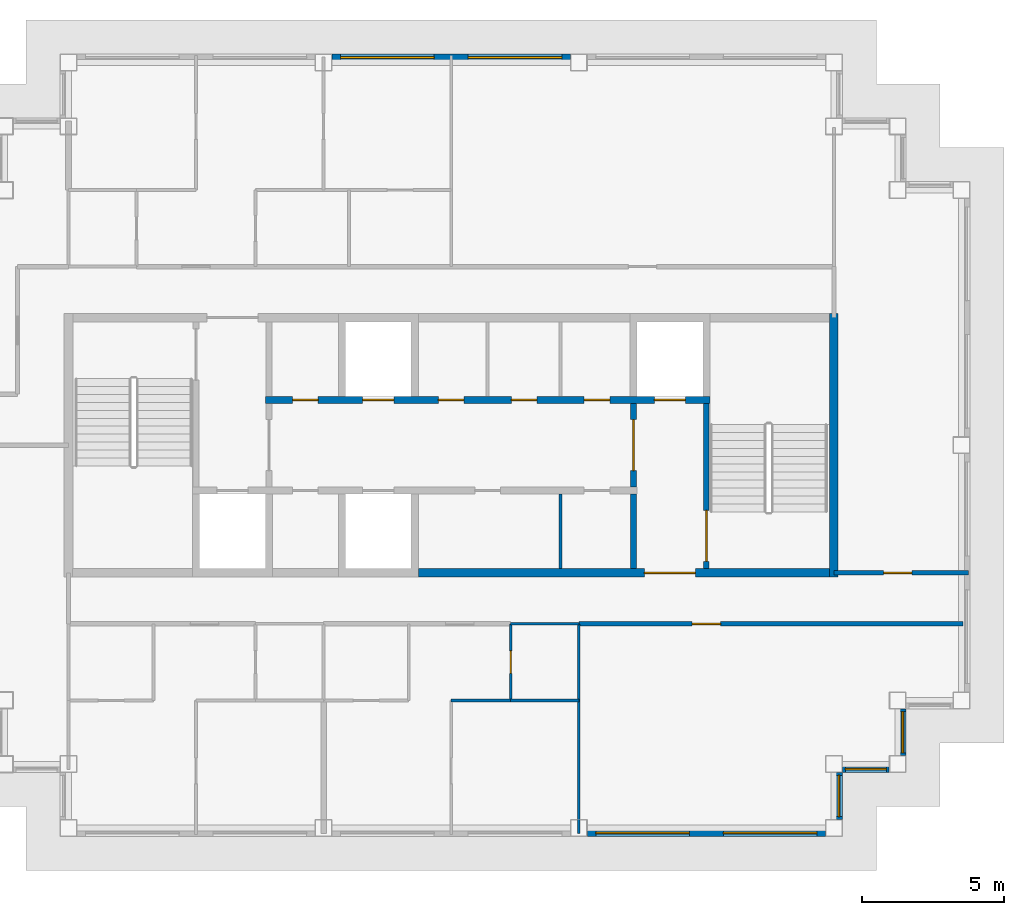
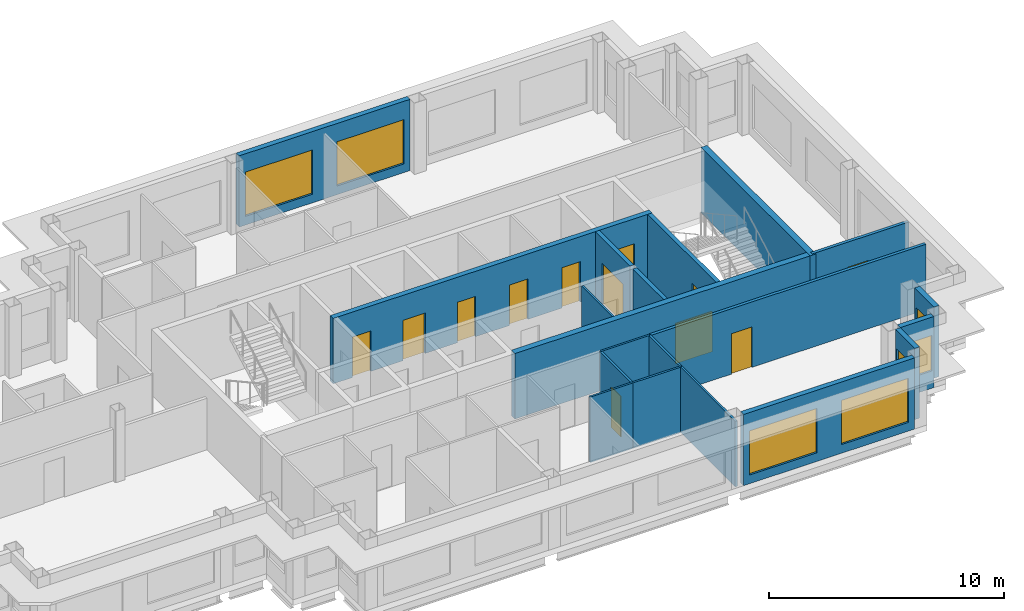
# One storey, part 5 of 11: 20 walls, 12 doors, 7 windows, 19 openings.
"""IFC4 building model written with IfcOpenShell, lengths in metres."""

from ifc_helpers import new_model, si_unit, direction, frame, frame_2d, origin, place, context, subcontext, project, spatial, rectangle, extrude, material, layer, layer_set, type_object, element, fill, save


model = new_model("IFC4")

# Units and contexts
model_context = context("Model", 3, precision=1e-05, world=origin(), true_north=direction((0.0, 1.0)))
body_context = subcontext(model_context, "Body", "Model", "MODEL_VIEW")
ifc_project = project(units=[si_unit("LENGTHUNIT", "METRE"), si_unit("AREAUNIT", "SQUARE_METRE"), si_unit("VOLUMEUNIT", "CUBIC_METRE"), si_unit("PLANEANGLEUNIT", "RADIAN"), si_unit("MASSUNIT", "GRAM", prefix="KILO")], contexts=[model_context])

# Site, building, storey
site_placement = place(None, origin())
site = spatial("IfcSite", under=ifc_project, at=site_placement, CompositionType="ELEMENT")
building_placement = place(site_placement, origin())
building = spatial("IfcBuilding", under=site, at=building_placement, Name="Caravel Reach Hotel and Residences", CompositionType="ELEMENT")
storey_placement = place(building_placement, frame((0.0, 0.0, 256.39990234375)))
storey = spatial("IfcBuildingStorey", under=building, at=storey_placement, Name="L65", CompositionType="ELEMENT", Elevation=256.39990234375)

# Walls
ifc_material_1 = material(Name="Gypsum board on steel stud", Category="steel")
ifc_layer_1 = layer(ifc_material_1, 0.10009765625)
ifc_layer_set_1 = layer_set([ifc_layer_1], Name="Bathroom pod wall 100 mm")
wall_type_1 = type_object("IfcWallType", Name="Bathroom pod wall 100 mm", PredefinedType="PARTITIONING", material=ifc_layer_set_1)
for number, where, z_axis, x_axis, name in (
    (1, (33.60009765625, 18.0, 0.0), (0.0, 0.0, 1.0), (1.0, 0.0, 0.0), "L65 wall w054"),
    (2, (33.60009765625, 20.699951171875, 0.0), (0.0, 0.0, 1.0), (1.0, 0.0, 0.0), "L65 wall w056"),
):
    element("IfcWall", number, at=place(storey_placement, frame(where, z_axis=z_axis, x_axis=x_axis)), inside=storey, type_object=wall_type_1, Name=name, PredefinedType="PARTITIONING", context=body_context, shape_type="SweptSolid", body=[
        extrude(rectangle(XDim=2.39990234375, YDim=0.10009765625, at=frame_2d((1.199951171875, 0.0))), origin(), (0.0, 0.0, 1.0), 3.400146484375),
    ])

# Wall, opening, door
wall_1_placement = place(storey_placement, frame((33.60009765625, 18.0, 0.0), z_axis=(0.0, 0.0, 1.0), x_axis=(0.0, 1.0, 0.0)))
wall_1 = element("IfcWall", 3, at=wall_1_placement, inside=storey, type_object=wall_type_1, Name="L65 wall w065", PredefinedType="PARTITIONING", context=body_context, shape_type="SweptSolid", body=[
    extrude(rectangle(XDim=2.699951171875, YDim=0.10009765625, at=frame_2d((1.35009765625, 0.0))), origin(), (0.0, 0.0, 1.0), 3.400146484375),
])
opening_1_placement = place(wall_1_placement, frame((0.949951171875, 0.0, 0.0)))
opening_1 = element("IfcOpeningElement", 4, at=opening_1_placement, cuts=wall_1, Name="Opening D65-036", PredefinedType="OPENING", context=body_context, shape_type="SweptSolid", body=[
    extrude(rectangle(XDim=0.800048828125, YDim=2.10009765625, at=frame_2d((0.39990234375, 1.050048828125))), frame((0.0, 0.06005859375, 0.0), z_axis=(0.0, -1.0, 0.0), x_axis=(1.0, 0.0, 0.0)), (0.0, 0.0, 1.0), 0.1201171875),
])
ifc_material_2 = material(Name="Timber and steel door leaf", Category="steel")
door_type_1 = type_object("IfcDoorType", Name="Bathroom door 800 x 2100", OperationType="SINGLE_SWING_LEFT", PredefinedType="DOOR", material=ifc_material_2)
door_1_placement = place(opening_1_placement, origin())
door_1 = element("IfcDoor", 5, at=door_1_placement, inside=storey, type_object=door_type_1, Name="door D65-036", OperationType="SINGLE_SWING_RIGHT", OverallHeight=2.10009765625, OverallWidth=0.800048828125, PredefinedType="DOOR", context=body_context, shape_type="SweptSolid", body=[
    extrude(rectangle(XDim=0.800048828125, YDim=2.10009765625, at=frame_2d((0.39990234375, 1.050048828125))), frame((0.0, 0.02490234375, 0.0), z_axis=(0.0, -1.0, 0.0), x_axis=(1.0, 0.0, 0.0)), (0.0, 0.0, 1.0), 0.050048828125),
])
fill(opening_1, door_1)

# Walls
wall_2_placement = place(storey_placement, frame((36.0, 18.0, 0.0), z_axis=(0.0, 0.0, 1.0), x_axis=(0.0, 1.0, 0.0)))
element("IfcWall", 6, at=wall_2_placement, inside=storey, type_object=wall_type_1, Name="L65 wall w066", PredefinedType="PARTITIONING", context=body_context, shape_type="SweptSolid", body=[
    extrude(rectangle(XDim=2.699951171875, YDim=0.10009765625, at=frame_2d((1.35009765625, 0.0))), origin(), (0.0, 0.0, 1.0), 3.400146484375),
])
ifc_material_3 = material(Name="Autoclaved aerated block wall")
ifc_layer_2 = layer(ifc_material_3, 0.199951171875)
ifc_layer_set_2 = layer_set([ifc_layer_2], Name="Compartment wall 200 mm EI 120")
wall_type_2 = type_object("IfcWallType", Name="Compartment wall 200 mm EI 120", PredefinedType="PARTITIONING", material=ifc_layer_set_2)
wall_3_placement = place(storey_placement, frame((37.928466796875, 22.64990234375, 0.0), z_axis=(0.0, 0.0, 1.0), x_axis=(0.0, 1.0, 0.0)))
element("IfcWall", 7, at=wall_3_placement, inside=storey, type_object=wall_type_2, Name="L65 store partition", PredefinedType="PARTITIONING", context=body_context, shape_type="SweptSolid", body=[
    extrude(rectangle(XDim=2.625, YDim=0.199951171875, at=frame_2d((1.3125, 0.0))), origin(), (0.0, 0.0, 1.0), 3.400146484375),
])

# Wall, opening, door
ifc_material_4 = material(Name="Concrete C60", Category="concrete")
ifc_layer_3 = layer(ifc_material_4, 0.300048828125)
ifc_layer_set_3 = layer_set([ifc_layer_3], Name="Core wall 300 mm EI 120")
wall_type_3 = type_object("IfcWallType", Name="Core wall 300 mm EI 120", PredefinedType="SHEAR", material=ifc_layer_set_3)
wall_4_placement = place(storey_placement, frame((30.33935546875, 22.5, 0.0), z_axis=(0.0, 0.0, 1.0), x_axis=(1.0, 0.0, 0.0)))
wall_4 = element("IfcWall", 8, at=wall_4_placement, inside=storey, type_object=wall_type_3, Name="L65 core wall S3", PredefinedType="SHEAR", context=body_context, shape_type="SweptSolid", body=[
    extrude(rectangle(XDim=14.5107421875, YDim=0.300048828125, at=frame_2d((7.25537109375, 0.0))), origin(), (0.0, 0.0, 1.0), 3.400146484375),
])
opening_2_placement = place(wall_4_placement, frame((7.97509765625, 0.0, 0.0)))
opening_2 = element("IfcOpeningElement", 9, at=opening_2_placement, cuts=wall_4, Name="Opening D65-017", PredefinedType="OPENING", context=body_context, shape_type="SweptSolid", body=[
    extrude(rectangle(XDim=1.800048828125, YDim=2.10009765625, at=frame_2d((0.89990234375, 1.050048828125))), frame((0.0, 0.159912109375, 0.0), z_axis=(0.0, -1.0, 0.0), x_axis=(1.0, 0.0, 0.0)), (0.0, 0.0, 1.0), 0.320068359375),
])
ifc_material_5 = material(Name="Steel fire door leaf", Category="steel")
door_type_2 = type_object("IfcDoorType", Name="Fire lobby door pair 1800 x 2100 EI 90", OperationType="DOUBLE_DOOR_SINGLE_SWING", PredefinedType="DOOR", material=ifc_material_5)
door_2_placement = place(opening_2_placement, origin())
door_2 = element("IfcDoor", 10, at=door_2_placement, inside=storey, type_object=door_type_2, Name="lobby S door pair to corridor", OperationType="DOUBLE_DOOR_SINGLE_SWING", OverallHeight=2.10009765625, OverallWidth=1.800048828125, PredefinedType="DOOR", context=body_context, shape_type="SweptSolid", body=[
    extrude(rectangle(XDim=1.800048828125, YDim=2.10009765625, at=frame_2d((0.89990234375, 1.050048828125))), frame((0.0, 0.02490234375, 0.0), z_axis=(0.0, -1.0, 0.0), x_axis=(1.0, 0.0, 0.0)), (0.0, 0.0, 1.0), 0.050048828125),
])
fill(opening_2, door_2)

# Wall
wall_5_placement = place(storey_placement, frame((45.0, 22.35009765625, 0.0), z_axis=(0.0, 0.0, 1.0), x_axis=(0.0, 1.0, 0.0)))
element("IfcWall", 11, at=wall_5_placement, inside=storey, type_object=wall_type_3, Name="L65 core wall E", PredefinedType="SHEAR", context=body_context, shape_type="SweptSolid", body=[
    extrude(rectangle(XDim=9.2998046875, YDim=0.300048828125, at=frame_2d((4.64990234375, 0.0))), origin(), (0.0, 0.0, 1.0), 3.400146484375),
])

# Wall, opening, door
ifc_material_6 = material(Name="Gypsum board on steel stud, fire-rated", Category="steel")
ifc_layer_4 = layer(ifc_material_6, 0.14990234375)
ifc_layer_set_4 = layer_set([ifc_layer_4], Name="Corridor wall 150 mm EI 60")
wall_type_4 = type_object("IfcWallType", Name="Corridor wall 150 mm EI 60", PredefinedType="PARTITIONING", material=ifc_layer_set_4)
wall_6_placement = place(storey_placement, frame((36.0, 20.699951171875, 0.0), z_axis=(0.0, 0.0, 1.0), x_axis=(1.0, 0.0, 0.0)))
wall_6 = element("IfcWall", 12, at=wall_6_placement, inside=storey, type_object=wall_type_4, Name="L65 wall w005", PredefinedType="PARTITIONING", context=body_context, shape_type="SweptSolid", body=[
    extrude(rectangle(XDim=13.550048828125, YDim=0.14990234375, at=frame_2d((6.77490234375, 0.0))), origin(), (0.0, 0.0, 1.0), 3.400146484375),
])
opening_3_placement = place(wall_6_placement, frame((4.0, 0.0, 0.0)))
opening_3 = element("IfcOpeningElement", 13, at=opening_3_placement, cuts=wall_6, Name="Opening D65-038", PredefinedType="OPENING", context=body_context, shape_type="SweptSolid", body=[
    extrude(rectangle(XDim=1.0, YDim=2.10009765625, at=frame_2d((0.5, 1.050048828125))), frame((0.0, 0.0849609375, 0.0), z_axis=(0.0, -1.0, 0.0), x_axis=(1.0, 0.0, 0.0)), (0.0, 0.0, 1.0), 0.169921875),
])
ifc_material_7 = material(Name="Steel fire door leaf", Category="steel")
door_type_3 = type_object("IfcDoorType", Name="Fire door 1000 x 2100 EI 60", OperationType="SINGLE_SWING_LEFT", PredefinedType="DOOR", material=ifc_material_7)
door_3_placement = place(opening_3_placement, origin())
door_3 = element("IfcDoor", 14, at=door_3_placement, inside=storey, type_object=door_type_3, Name="door D65-038", OperationType="SINGLE_SWING_RIGHT", OverallHeight=2.10009765625, OverallWidth=1.0, PredefinedType="DOOR", context=body_context, shape_type="SweptSolid", body=[
    extrude(rectangle(XDim=1.0, YDim=2.10009765625, at=frame_2d((0.5, 1.050048828125))), frame((0.0, 0.02490234375, 0.0), z_axis=(0.0, -1.0, 0.0), x_axis=(1.0, 0.0, 0.0)), (0.0, 0.0, 1.0), 0.050048828125),
])
fill(opening_3, door_3)

wall_7_placement = place(storey_placement, frame((45.0, 22.5, 0.0), z_axis=(0.0, 0.0, 1.0), x_axis=(1.0, 0.0, 0.0)))
wall_7 = element("IfcWall", 15, at=wall_7_placement, inside=storey, type_object=wall_type_4, Name="L65 wall w007", PredefinedType="PARTITIONING", context=body_context, shape_type="SweptSolid", body=[
    extrude(rectangle(XDim=4.739990234375, YDim=0.14990234375, at=frame_2d((2.3701171875, 0.0))), origin(), (0.0, 0.0, 1.0), 3.400146484375),
])
opening_4_placement = place(wall_7_placement, frame((1.75, 0.0, 0.0)))
opening_4 = element("IfcOpeningElement", 16, at=opening_4_placement, cuts=wall_7, Name="Opening D65-040", PredefinedType="OPENING", context=body_context, shape_type="SweptSolid", body=[
    extrude(rectangle(XDim=1.0, YDim=2.10009765625, at=frame_2d((0.5, 1.050048828125))), frame((0.0, 0.0849609375, 0.0), z_axis=(0.0, -1.0, 0.0), x_axis=(1.0, 0.0, 0.0)), (0.0, 0.0, 1.0), 0.169921875),
])
door_4_placement = place(opening_4_placement, origin())
door_4 = element("IfcDoor", 17, at=door_4_placement, inside=storey, type_object=door_type_3, Name="door D65-040", OperationType="SINGLE_SWING_LEFT", OverallHeight=2.10009765625, OverallWidth=1.0, PredefinedType="DOOR", context=body_context, shape_type="SweptSolid", body=[
    extrude(rectangle(XDim=1.0, YDim=2.10009765625, at=frame_2d((0.5, 1.050048828125))), frame((0.0, 0.02490234375, 0.0), z_axis=(0.0, -1.0, 0.0), x_axis=(1.0, 0.0, 0.0)), (0.0, 0.0, 1.0), 0.050048828125),
])
fill(opening_4, door_4)

# Wall, openings, windows
ifc_material_8 = material(Name="Insulated rainscreen wall, aluminium cladding", Category="aluminium")
ifc_layer_5 = layer(ifc_material_8, 0.25)
ifc_layer_set_5 = layer_set([ifc_layer_5], Name="EW1 Tower rainscreen wall")
wall_type_5 = type_object("IfcWallType", Name="EW1 Tower rainscreen wall", PredefinedType="SOLIDWALL", material=ifc_layer_set_5)
wall_8_placement = place(storey_placement, frame((36.300048828125, 13.324951171875, 0.0), z_axis=(0.0, 0.0, 1.0), x_axis=(1.0, 0.0, 0.0)))
wall_8 = element("IfcWall", 18, at=wall_8_placement, inside=storey, type_object=wall_type_5, Name="External wall L65 S4.3", PredefinedType="SOLIDWALL", context=body_context, shape_type="SweptSolid", body=[
    extrude(rectangle(XDim=8.39990234375, YDim=0.25, at=frame_2d((4.199951171875, 0.0))), origin(), (0.0, 0.0, 1.0), 3.7001953125),
])
opening_5_placement = place(wall_8_placement, frame((0.300048828125, 0.0, 0.449951171875)))
opening_5 = element("IfcOpeningElement", 19, at=opening_5_placement, cuts=wall_8, Name="Opening WN15", PredefinedType="OPENING", context=body_context, shape_type="SweptSolid", body=[
    extrude(rectangle(XDim=3.300048828125, YDim=2.300048828125, at=frame_2d((1.64990234375, 1.14990234375))), frame((0.0, 0.135009765625, 0.0), z_axis=(0.0, -1.0, 0.0), x_axis=(1.0, 0.0, 0.0)), (0.0, 0.0, 1.0), 0.27001953125),
])
opening_6_placement = place(wall_8_placement, frame((4.800048828125, 0.0, 0.449951171875)))
opening_6 = element("IfcOpeningElement", 20, at=opening_6_placement, cuts=wall_8, Name="Opening WN15", PredefinedType="OPENING", context=body_context, shape_type="SweptSolid", body=[
    extrude(rectangle(XDim=3.300048828125, YDim=2.300048828125, at=frame_2d((1.64990234375, 1.14990234375))), frame((0.0, 0.135009765625, 0.0), z_axis=(0.0, -1.0, 0.0), x_axis=(1.0, 0.0, 0.0)), (0.0, 0.0, 1.0), 0.27001953125),
])
ifc_material_9 = material(Name="Dark low-e glazing in black aluminium frame", Category="aluminium")
window_type_1 = type_object("IfcWindowType", Name="Residence living window 3300 x 2300", PartitioningType="SINGLE_PANEL", PredefinedType="WINDOW", material=ifc_material_9)
window_1_placement = place(opening_5_placement, origin())
window_1 = element("IfcWindow", 21, at=window_1_placement, inside=storey, type_object=window_type_1, Name="Window L65 S4.3.1", OverallHeight=2.300048828125, OverallWidth=3.300048828125, PartitioningType="SINGLE_PANEL", PredefinedType="WINDOW", context=body_context, shape_type="SweptSolid", body=[
    extrude(rectangle(XDim=3.300048828125, YDim=2.300048828125, at=frame_2d((1.64990234375, 1.14990234375))), frame((0.0, 0.030029296875, 0.0), z_axis=(0.0, -1.0, 0.0), x_axis=(1.0, 0.0, 0.0)), (0.0, 0.0, 1.0), 0.06005859375),
])
fill(opening_5, window_1)
window_2_placement = place(opening_6_placement, origin())
window_2 = element("IfcWindow", 22, at=window_2_placement, inside=storey, type_object=window_type_1, Name="Window L65 S4.3.2", OverallHeight=2.300048828125, OverallWidth=3.300048828125, PartitioningType="SINGLE_PANEL", PredefinedType="WINDOW", context=body_context, shape_type="SweptSolid", body=[
    extrude(rectangle(XDim=3.300048828125, YDim=2.300048828125, at=frame_2d((1.64990234375, 1.14990234375))), frame((0.0, 0.030029296875, 0.0), z_axis=(0.0, -1.0, 0.0), x_axis=(1.0, 0.0, 0.0)), (0.0, 0.0, 1.0), 0.06005859375),
])
fill(opening_6, window_2)

# Wall, opening, window
wall_9_placement = place(storey_placement, frame((45.175048828125, 13.800048828125, 0.0), z_axis=(0.0, 0.0, 1.0), x_axis=(0.0, 1.0, 0.0)))
wall_9 = element("IfcWall", 23, at=wall_9_placement, inside=storey, type_object=wall_type_5, Name="External wall L65 E5.1", PredefinedType="SOLIDWALL", context=body_context, shape_type="SweptSolid", body=[
    extrude(rectangle(XDim=1.64990234375, YDim=0.25, at=frame_2d((0.824951171875, 0.0))), origin(), (0.0, 0.0, 1.0), 3.7001953125),
])
opening_7_placement = place(wall_9_placement, frame((0.10009765625, 0.0, 0.89990234375)))
opening_7 = element("IfcOpeningElement", 24, at=opening_7_placement, cuts=wall_9, Name="Opening WN25", PredefinedType="OPENING", context=body_context, shape_type="SweptSolid", body=[
    extrude(rectangle(XDim=1.449951171875, YDim=1.85009765625, at=frame_2d((0.72509765625, 0.925048828125))), frame((0.0, 0.135009765625, 0.0), z_axis=(0.0, -1.0, 0.0), x_axis=(1.0, 0.0, 0.0)), (0.0, 0.0, 1.0), 0.27001953125),
])
ifc_material_10 = material(Name="Dark low-e glazing in black aluminium frame", Category="aluminium")
window_type_2 = type_object("IfcWindowType", Name="Residence bedroom window 1450 x 1850", PartitioningType="SINGLE_PANEL", PredefinedType="WINDOW", material=ifc_material_10)
window_3_placement = place(opening_7_placement, origin())
window_3 = element("IfcWindow", 25, at=window_3_placement, inside=storey, type_object=window_type_2, Name="Window L65 E5.1.1", OverallHeight=1.85009765625, OverallWidth=1.449951171875, PartitioningType="SINGLE_PANEL", PredefinedType="WINDOW", context=body_context, shape_type="SweptSolid", body=[
    extrude(rectangle(XDim=1.449951171875, YDim=1.85009765625, at=frame_2d((0.72509765625, 0.925048828125))), frame((0.0, 0.030029296875, 0.0), z_axis=(0.0, -1.0, 0.0), x_axis=(1.0, 0.0, 0.0)), (0.0, 0.0, 1.0), 0.06005859375),
])
fill(opening_7, window_3)

wall_10_placement = place(storey_placement, frame((45.300048828125, 15.574951171875, 0.0), z_axis=(0.0, 0.0, 1.0), x_axis=(1.0, 0.0, 0.0)))
wall_10 = element("IfcWall", 26, at=wall_10_placement, inside=storey, type_object=wall_type_5, Name="External wall L65 S6.1", PredefinedType="SOLIDWALL", context=body_context, shape_type="SweptSolid", body=[
    extrude(rectangle(XDim=1.64990234375, YDim=0.25, at=frame_2d((0.824951171875, 0.0))), origin(), (0.0, 0.0, 1.0), 3.7001953125),
])
opening_8_placement = place(wall_10_placement, frame((0.10009765625, 0.0, 0.89990234375)))
opening_8 = element("IfcOpeningElement", 27, at=opening_8_placement, cuts=wall_10, Name="Opening WN25", PredefinedType="OPENING", context=body_context, shape_type="SweptSolid", body=[
    extrude(rectangle(XDim=1.449951171875, YDim=1.85009765625, at=frame_2d((0.72509765625, 0.925048828125))), frame((0.0, 0.135009765625, 0.0), z_axis=(0.0, -1.0, 0.0), x_axis=(1.0, 0.0, 0.0)), (0.0, 0.0, 1.0), 0.27001953125),
])
window_4_placement = place(opening_8_placement, origin())
window_4 = element("IfcWindow", 28, at=window_4_placement, inside=storey, type_object=window_type_2, Name="Window L65 S6.1.1", OverallHeight=1.85009765625, OverallWidth=1.449951171875, PartitioningType="SINGLE_PANEL", PredefinedType="WINDOW", context=body_context, shape_type="SweptSolid", body=[
    extrude(rectangle(XDim=1.449951171875, YDim=1.85009765625, at=frame_2d((0.72509765625, 0.925048828125))), frame((0.0, 0.030029296875, 0.0), z_axis=(0.0, -1.0, 0.0), x_axis=(1.0, 0.0, 0.0)), (0.0, 0.0, 1.0), 0.06005859375),
])
fill(opening_8, window_4)

wall_11_placement = place(storey_placement, frame((47.425048828125, 16.050048828125, 0.0), z_axis=(0.0, 0.0, 1.0), x_axis=(0.0, 1.0, 0.0)))
wall_11 = element("IfcWall", 29, at=wall_11_placement, inside=storey, type_object=wall_type_5, Name="External wall L65 E7.1", PredefinedType="SOLIDWALL", context=body_context, shape_type="SweptSolid", body=[
    extrude(rectangle(XDim=1.64990234375, YDim=0.25, at=frame_2d((0.824951171875, 0.0))), origin(), (0.0, 0.0, 1.0), 3.7001953125),
])
opening_9_placement = place(wall_11_placement, frame((0.10009765625, 0.0, 0.89990234375)))
opening_9 = element("IfcOpeningElement", 30, at=opening_9_placement, cuts=wall_11, Name="Opening WN25", PredefinedType="OPENING", context=body_context, shape_type="SweptSolid", body=[
    extrude(rectangle(XDim=1.449951171875, YDim=1.85009765625, at=frame_2d((0.72509765625, 0.925048828125))), frame((0.0, 0.135009765625, 0.0), z_axis=(0.0, -1.0, 0.0), x_axis=(1.0, 0.0, 0.0)), (0.0, 0.0, 1.0), 0.27001953125),
])
window_5_placement = place(opening_9_placement, origin())
window_5 = element("IfcWindow", 31, at=window_5_placement, inside=storey, type_object=window_type_2, Name="Window L65 E7.1.1", OverallHeight=1.85009765625, OverallWidth=1.449951171875, PartitioningType="SINGLE_PANEL", PredefinedType="WINDOW", context=body_context, shape_type="SweptSolid", body=[
    extrude(rectangle(XDim=1.449951171875, YDim=1.85009765625, at=frame_2d((0.72509765625, 0.925048828125))), frame((0.0, 0.030029296875, 0.0), z_axis=(0.0, -1.0, 0.0), x_axis=(1.0, 0.0, 0.0)), (0.0, 0.0, 1.0), 0.06005859375),
])
fill(opening_9, window_5)

# Wall, openings, windows
wall_12_placement = place(storey_placement, frame((35.699951171875, 40.675048828125, 0.0), z_axis=(0.0, 0.0, 1.0), x_axis=(-1.0, 0.0, 0.0)))
wall_12 = element("IfcWall", 32, at=wall_12_placement, inside=storey, type_object=wall_type_5, Name="External wall L65 N14.2", PredefinedType="SOLIDWALL", context=body_context, shape_type="SweptSolid", body=[
    extrude(rectangle(XDim=8.39990234375, YDim=0.25, at=frame_2d((4.199951171875, 0.0))), origin(), (0.0, 0.0, 1.0), 3.7001953125),
])
opening_10_placement = place(wall_12_placement, frame((0.300048828125, 0.0, 0.449951171875)))
opening_10 = element("IfcOpeningElement", 33, at=opening_10_placement, cuts=wall_12, Name="Opening WN15", PredefinedType="OPENING", context=body_context, shape_type="SweptSolid", body=[
    extrude(rectangle(XDim=3.300048828125, YDim=2.300048828125, at=frame_2d((1.64990234375, 1.14990234375))), frame((0.0, 0.135009765625, 0.0), z_axis=(0.0, -1.0, 0.0), x_axis=(1.0, 0.0, 0.0)), (0.0, 0.0, 1.0), 0.27001953125),
])
opening_11_placement = place(wall_12_placement, frame((4.800048828125, 0.0, 0.449951171875)))
opening_11 = element("IfcOpeningElement", 34, at=opening_11_placement, cuts=wall_12, Name="Opening WN15", PredefinedType="OPENING", context=body_context, shape_type="SweptSolid", body=[
    extrude(rectangle(XDim=3.300048828125, YDim=2.300048828125, at=frame_2d((1.64990234375, 1.14990234375))), frame((0.0, 0.135009765625, 0.0), z_axis=(0.0, -1.0, 0.0), x_axis=(1.0, 0.0, 0.0)), (0.0, 0.0, 1.0), 0.27001953125),
])
window_6_placement = place(opening_10_placement, origin())
window_6 = element("IfcWindow", 35, at=window_6_placement, inside=storey, type_object=window_type_1, Name="Window L65 N14.2.1", OverallHeight=2.300048828125, OverallWidth=3.300048828125, PartitioningType="SINGLE_PANEL", PredefinedType="WINDOW", context=body_context, shape_type="SweptSolid", body=[
    extrude(rectangle(XDim=3.300048828125, YDim=2.300048828125, at=frame_2d((1.64990234375, 1.14990234375))), frame((0.0, 0.030029296875, 0.0), z_axis=(0.0, -1.0, 0.0), x_axis=(1.0, 0.0, 0.0)), (0.0, 0.0, 1.0), 0.06005859375),
])
fill(opening_10, window_6)
window_7_placement = place(opening_11_placement, origin())
window_7 = element("IfcWindow", 36, at=window_7_placement, inside=storey, type_object=window_type_1, Name="Window L65 N14.2.2", OverallHeight=2.300048828125, OverallWidth=3.300048828125, PartitioningType="SINGLE_PANEL", PredefinedType="WINDOW", context=body_context, shape_type="SweptSolid", body=[
    extrude(rectangle(XDim=3.300048828125, YDim=2.300048828125, at=frame_2d((1.64990234375, 1.14990234375))), frame((0.0, 0.030029296875, 0.0), z_axis=(0.0, -1.0, 0.0), x_axis=(1.0, 0.0, 0.0)), (0.0, 0.0, 1.0), 0.06005859375),
])
fill(opening_11, window_7)

# Wall, opening, door
ifc_material_11 = material(Name="Autoclaved aerated block wall")
ifc_layer_6 = layer(ifc_material_11, 0.199951171875)
ifc_layer_set_6 = layer_set([ifc_layer_6], Name="Fire lobby wall 200 mm EI 120")
wall_type_6 = type_object("IfcWallType", Name="Fire lobby wall 200 mm EI 120", PredefinedType="PARTITIONING", material=ifc_layer_set_6)
wall_13_placement = place(storey_placement, frame((37.928466796875, 25.52490234375, 0.0), z_axis=(0.0, 0.0, 1.0), x_axis=(0.0, 1.0, 0.0)))
wall_13 = element("IfcWall", 37, at=wall_13_placement, inside=storey, type_object=wall_type_6, Name="L65 lobby E wall", PredefinedType="PARTITIONING", context=body_context, shape_type="SweptSolid", body=[
    extrude(rectangle(XDim=2.9501953125, YDim=0.199951171875, at=frame_2d((1.47509765625, 0.0))), origin(), (0.0, 0.0, 1.0), 3.400146484375),
])
opening_12_placement = place(wall_13_placement, frame((0.574951171875, 0.0, 0.0)))
opening_12 = element("IfcOpeningElement", 38, at=opening_12_placement, cuts=wall_13, Name="Opening D65-015", PredefinedType="OPENING", context=body_context, shape_type="SweptSolid", body=[
    extrude(rectangle(XDim=1.800048828125, YDim=2.10009765625, at=frame_2d((0.89990234375, 1.050048828125))), frame((0.0, 0.10986328125, 0.0), z_axis=(0.0, -1.0, 0.0), x_axis=(1.0, 0.0, 0.0)), (0.0, 0.0, 1.0), 0.219970703125),
])
door_5_placement = place(opening_12_placement, origin())
door_5 = element("IfcDoor", 39, at=door_5_placement, inside=storey, type_object=door_type_2, Name="lobby E door pair", OperationType="DOUBLE_DOOR_SINGLE_SWING", OverallHeight=2.10009765625, OverallWidth=1.800048828125, PredefinedType="DOOR", context=body_context, shape_type="SweptSolid", body=[
    extrude(rectangle(XDim=1.800048828125, YDim=2.10009765625, at=frame_2d((0.89990234375, 1.050048828125))), frame((0.0, 0.02490234375, 0.0), z_axis=(0.0, -1.0, 0.0), x_axis=(1.0, 0.0, 0.0)), (0.0, 0.0, 1.0), 0.050048828125),
])
fill(opening_12, door_5)

# Walls
ifc_material_12 = material(Name="Gypsum board on steel stud", Category="steel")
ifc_layer_7 = layer(ifc_material_12, 0.10009765625)
ifc_layer_set_7 = layer_set([ifc_layer_7], Name="Partition 100 mm")
wall_type_7 = type_object("IfcWallType", Name="Partition 100 mm", PredefinedType="PARTITIONING", material=ifc_layer_set_7)
wall_14_placement = place(storey_placement, frame((35.357177734375, 22.64990234375, 0.0), z_axis=(0.0, 0.0, 1.0), x_axis=(0.0, 1.0, 0.0)))
element("IfcWall", 40, at=wall_14_placement, inside=storey, type_object=wall_type_7, Name="L65 store partition", PredefinedType="PARTITIONING", context=body_context, shape_type="SweptSolid", body=[
    extrude(rectangle(XDim=2.625, YDim=0.10009765625, at=frame_2d((1.3125, 0.0))), origin(), (0.0, 0.0, 1.0), 3.400146484375),
])
wall_15_placement = place(storey_placement, frame((31.5, 18.0, 0.0), z_axis=(0.0, 0.0, 1.0), x_axis=(1.0, 0.0, 0.0)))
element("IfcWall", 41, at=wall_15_placement, inside=storey, type_object=wall_type_7, Name="L65 wall w023", PredefinedType="PARTITIONING", context=body_context, shape_type="SweptSolid", body=[
    extrude(rectangle(XDim=2.10009765625, YDim=0.10009765625, at=frame_2d((1.050048828125, 0.0))), origin(), (0.0, 0.0, 1.0), 3.400146484375),
])
wall_16_placement = place(storey_placement, frame((36.0, 13.31005859375, 0.0), z_axis=(0.0, 0.0, 1.0), x_axis=(0.0, 1.0, 0.0)))
element("IfcWall", 42, at=wall_16_placement, inside=storey, type_object=wall_type_7, Name="L65 wall w046", PredefinedType="PARTITIONING", context=body_context, shape_type="SweptSolid", body=[
    extrude(rectangle(XDim=4.68994140625, YDim=0.10009765625, at=frame_2d((2.344970703125, 0.0))), origin(), (0.0, 0.0, 1.0), 3.400146484375),
])

# Wall, openings, doors
ifc_material_13 = material(Name="Concrete C60", Category="concrete")
ifc_layer_8 = layer(ifc_material_13, 0.25)
ifc_layer_set_8 = layer_set([ifc_layer_8], Name="Shaft wall 250 mm EI 120")
wall_type_8 = type_object("IfcWallType", Name="Shaft wall 250 mm EI 120", PredefinedType="SHEAR", material=ifc_layer_set_8)
wall_17_placement = place(storey_placement, frame((24.946533203125, 28.60009765625, 0.0), z_axis=(0.0, 0.0, 1.0), x_axis=(1.0, 0.0, 0.0)))
wall_17 = element("IfcWall", 43, at=wall_17_placement, inside=storey, type_object=wall_type_8, Name="L65 lobby wall N1", PredefinedType="SHEAR", context=body_context, shape_type="SweptSolid", body=[
    extrude(rectangle(XDim=15.678466796875, YDim=0.25, at=frame_2d((7.83935546875, 0.0))), origin(), (0.0, 0.0, 1.0), 3.400146484375),
])
opening_13_placement = place(wall_17_placement, frame((3.43212890625, 0.0, 0.0)))
opening_13 = element("IfcOpeningElement", 44, at=opening_13_placement, cuts=wall_17, Name="Opening D65-002", PredefinedType="OPENING", context=body_context, shape_type="SweptSolid", body=[
    extrude(rectangle(XDim=1.10009765625, YDim=2.10009765625, at=frame_2d((0.550048828125, 1.050048828125))), frame((0.0, 0.135009765625, 0.0), z_axis=(0.0, -1.0, 0.0), x_axis=(1.0, 0.0, 0.0)), (0.0, 0.0, 1.0), 0.27001953125),
])
opening_14_placement = place(wall_17_placement, frame((13.718017578125, 0.0, 0.0)))
opening_14 = element("IfcOpeningElement", 45, at=opening_14_placement, cuts=wall_17, Name="Opening D65-004", PredefinedType="OPENING", context=body_context, shape_type="SweptSolid", body=[
    extrude(rectangle(XDim=1.10009765625, YDim=2.10009765625, at=frame_2d((0.550048828125, 1.050048828125))), frame((0.0, 0.135009765625, 0.0), z_axis=(0.0, -1.0, 0.0), x_axis=(1.0, 0.0, 0.0)), (0.0, 0.0, 1.0), 0.27001953125),
])
opening_15_placement = place(wall_17_placement, frame((0.960693359375, 0.0, 0.0)))
opening_15 = element("IfcOpeningElement", 46, at=opening_15_placement, cuts=wall_17, Name="Opening D65-008", PredefinedType="OPENING", context=body_context, shape_type="SweptSolid", body=[
    extrude(rectangle(XDim=0.89990234375, YDim=2.10009765625, at=frame_2d((0.449951171875, 1.050048828125))), frame((0.0, 0.135009765625, 0.0), z_axis=(0.0, -1.0, 0.0), x_axis=(1.0, 0.0, 0.0)), (0.0, 0.0, 1.0), 0.27001953125),
])
opening_16_placement = place(wall_17_placement, frame((6.103515625, 0.0, 0.0)))
opening_16 = element("IfcOpeningElement", 47, at=opening_16_placement, cuts=wall_17, Name="Opening D65-009", PredefinedType="OPENING", context=body_context, shape_type="SweptSolid", body=[
    extrude(rectangle(XDim=0.89990234375, YDim=2.10009765625, at=frame_2d((0.449951171875, 1.050048828125))), frame((0.0, 0.135009765625, 0.0), z_axis=(0.0, -1.0, 0.0), x_axis=(1.0, 0.0, 0.0)), (0.0, 0.0, 1.0), 0.27001953125),
])
opening_17_placement = place(wall_17_placement, frame((8.675048828125, 0.0, 0.0)))
opening_17 = element("IfcOpeningElement", 48, at=opening_17_placement, cuts=wall_17, Name="Opening D65-010", PredefinedType="OPENING", context=body_context, shape_type="SweptSolid", body=[
    extrude(rectangle(XDim=0.89990234375, YDim=2.10009765625, at=frame_2d((0.449951171875, 1.050048828125))), frame((0.0, 0.135009765625, 0.0), z_axis=(0.0, -1.0, 0.0), x_axis=(1.0, 0.0, 0.0)), (0.0, 0.0, 1.0), 0.27001953125),
])
opening_18_placement = place(wall_17_placement, frame((11.246337890625, 0.0, 0.0)))
opening_18 = element("IfcOpeningElement", 49, at=opening_18_placement, cuts=wall_17, Name="Opening D65-011", PredefinedType="OPENING", context=body_context, shape_type="SweptSolid", body=[
    extrude(rectangle(XDim=0.89990234375, YDim=2.10009765625, at=frame_2d((0.449951171875, 1.050048828125))), frame((0.0, 0.135009765625, 0.0), z_axis=(0.0, -1.0, 0.0), x_axis=(1.0, 0.0, 0.0)), (0.0, 0.0, 1.0), 0.27001953125),
])
ifc_material_14 = material(Name="Stainless steel landing door", Category="steel")
door_type_4 = type_object("IfcDoorType", Name="Landing door LD 1100 x 2100 sliding", OperationType="DOUBLE_DOOR_SLIDING", PredefinedType="DOOR", material=ifc_material_14)
door_6_placement = place(opening_13_placement, origin())
door_6 = element("IfcDoor", 50, at=door_6_placement, inside=storey, type_object=door_type_4, Name="HP2 landing door", OperationType="DOUBLE_DOOR_SLIDING", OverallHeight=2.10009765625, OverallWidth=1.10009765625, PredefinedType="DOOR", context=body_context, shape_type="SweptSolid", body=[
    extrude(rectangle(XDim=1.10009765625, YDim=2.10009765625, at=frame_2d((0.550048828125, 1.050048828125))), frame((0.0, 0.02490234375, 0.0), z_axis=(0.0, -1.0, 0.0), x_axis=(1.0, 0.0, 0.0)), (0.0, 0.0, 1.0), 0.050048828125),
])
fill(opening_13, door_6)
door_7_placement = place(opening_14_placement, origin())
door_7 = element("IfcDoor", 51, at=door_7_placement, inside=storey, type_object=door_type_4, Name="FL2 landing door", OperationType="DOUBLE_DOOR_SLIDING", OverallHeight=2.10009765625, OverallWidth=1.10009765625, PredefinedType="DOOR", context=body_context, shape_type="SweptSolid", body=[
    extrude(rectangle(XDim=1.10009765625, YDim=2.10009765625, at=frame_2d((0.550048828125, 1.050048828125))), frame((0.0, 0.02490234375, 0.0), z_axis=(0.0, -1.0, 0.0), x_axis=(1.0, 0.0, 0.0)), (0.0, 0.0, 1.0), 0.050048828125),
])
fill(opening_14, door_7)
ifc_material_15 = material(Name="Steel fire door leaf", Category="steel")
door_type_5 = type_object("IfcDoorType", Name="Riser door 900 x 2100 EI 60", OperationType="SINGLE_SWING_LEFT", PredefinedType="DOOR", material=ifc_material_15)
door_8_placement = place(opening_15_placement, origin())
door_8 = element("IfcDoor", 52, at=door_8_placement, inside=storey, type_object=door_type_5, Name="Residents' store door", OperationType="SINGLE_SWING_LEFT", OverallHeight=2.10009765625, OverallWidth=0.89990234375, PredefinedType="DOOR", context=body_context, shape_type="SweptSolid", body=[
    extrude(rectangle(XDim=0.89990234375, YDim=2.10009765625, at=frame_2d((0.449951171875, 1.050048828125))), frame((0.0, 0.02490234375, 0.0), z_axis=(0.0, -1.0, 0.0), x_axis=(1.0, 0.0, 0.0)), (0.0, 0.0, 1.0), 0.050048828125),
])
fill(opening_15, door_8)
door_9_placement = place(opening_16_placement, origin())
door_9 = element("IfcDoor", 53, at=door_9_placement, inside=storey, type_object=door_type_5, Name="Linen store door", OperationType="SINGLE_SWING_LEFT", OverallHeight=2.10009765625, OverallWidth=0.89990234375, PredefinedType="DOOR", context=body_context, shape_type="SweptSolid", body=[
    extrude(rectangle(XDim=0.89990234375, YDim=2.10009765625, at=frame_2d((0.449951171875, 1.050048828125))), frame((0.0, 0.02490234375, 0.0), z_axis=(0.0, -1.0, 0.0), x_axis=(1.0, 0.0, 0.0)), (0.0, 0.0, 1.0), 0.050048828125),
])
fill(opening_16, door_9)
door_10_placement = place(opening_17_placement, origin())
door_10 = element("IfcDoor", 54, at=door_10_placement, inside=storey, type_object=door_type_5, Name="Cleaners' room door", OperationType="SINGLE_SWING_LEFT", OverallHeight=2.10009765625, OverallWidth=0.89990234375, PredefinedType="DOOR", context=body_context, shape_type="SweptSolid", body=[
    extrude(rectangle(XDim=0.89990234375, YDim=2.10009765625, at=frame_2d((0.449951171875, 1.050048828125))), frame((0.0, 0.02490234375, 0.0), z_axis=(0.0, -1.0, 0.0), x_axis=(1.0, 0.0, 0.0)), (0.0, 0.0, 1.0), 0.050048828125),
])
fill(opening_17, door_10)
door_11_placement = place(opening_18_placement, origin())
door_11 = element("IfcDoor", 55, at=door_11_placement, inside=storey, type_object=door_type_5, Name="Electrical riser room door", OperationType="SINGLE_SWING_LEFT", OverallHeight=2.10009765625, OverallWidth=0.89990234375, PredefinedType="DOOR", context=body_context, shape_type="SweptSolid", body=[
    extrude(rectangle(XDim=0.89990234375, YDim=2.10009765625, at=frame_2d((0.449951171875, 1.050048828125))), frame((0.0, 0.02490234375, 0.0), z_axis=(0.0, -1.0, 0.0), x_axis=(1.0, 0.0, 0.0)), (0.0, 0.0, 1.0), 0.050048828125),
])
fill(opening_18, door_11)

# Wall, opening, door
ifc_material_16 = material(Name="Concrete C60", Category="concrete")
ifc_layer_9 = layer(ifc_material_16, 0.199951171875)
ifc_layer_set_9 = layer_set([ifc_layer_9], Name="Stair enclosure wall 200 mm EI 120")
wall_type_9 = type_object("IfcWallType", Name="Stair enclosure wall 200 mm EI 120", PredefinedType="SHEAR", material=ifc_layer_set_9)
wall_18_placement = place(storey_placement, frame((40.5, 22.64990234375, 0.0), z_axis=(0.0, 0.0, 1.0), x_axis=(0.0, 1.0, 0.0)))
wall_18 = element("IfcWall", 56, at=wall_18_placement, inside=storey, type_object=wall_type_9, Name="L65 stair B wall", PredefinedType="SHEAR", context=body_context, shape_type="SweptSolid", body=[
    extrude(rectangle(XDim=5.8251953125, YDim=0.199951171875, at=frame_2d((2.91259765625, 0.0))), origin(), (0.0, 0.0, 1.0), 3.400146484375),
])
opening_19_placement = place(wall_18_placement, frame((0.25, 0.0, 0.0)))
opening_19 = element("IfcOpeningElement", 57, at=opening_19_placement, cuts=wall_18, Name="Opening D65-013", PredefinedType="OPENING", context=body_context, shape_type="SweptSolid", body=[
    extrude(rectangle(XDim=1.800048828125, YDim=2.10009765625, at=frame_2d((0.89990234375, 1.050048828125))), frame((0.0, 0.10986328125, 0.0), z_axis=(0.0, -1.0, 0.0), x_axis=(1.0, 0.0, 0.0)), (0.0, 0.0, 1.0), 0.219970703125),
])
ifc_material_17 = material(Name="Steel fire door leaf", Category="steel")
door_type_6 = type_object("IfcDoorType", Name="Stair door pair 1800 x 2100 EI 90", OperationType="DOUBLE_DOOR_SINGLE_SWING", PredefinedType="DOOR", material=ifc_material_17)
door_12_placement = place(opening_19_placement, origin())
door_12 = element("IfcDoor", 58, at=door_12_placement, inside=storey, type_object=door_type_6, Name="stair B door pair", OperationType="DOUBLE_DOOR_SINGLE_SWING", OverallHeight=2.10009765625, OverallWidth=1.800048828125, PredefinedType="DOOR", context=body_context, shape_type="SweptSolid", body=[
    extrude(rectangle(XDim=1.800048828125, YDim=2.10009765625, at=frame_2d((0.89990234375, 1.050048828125))), frame((0.0, 0.02490234375, 0.0), z_axis=(0.0, -1.0, 0.0), x_axis=(1.0, 0.0, 0.0)), (0.0, 0.0, 1.0), 0.050048828125),
])
fill(opening_19, door_12)

save(model, "model.ifc")
